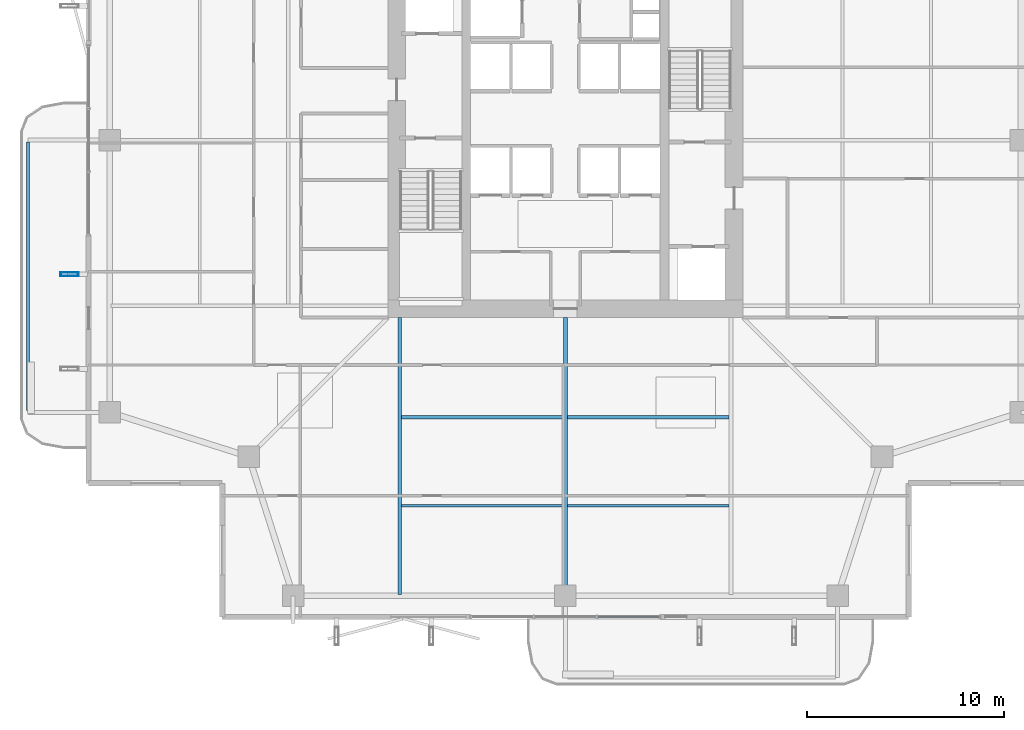
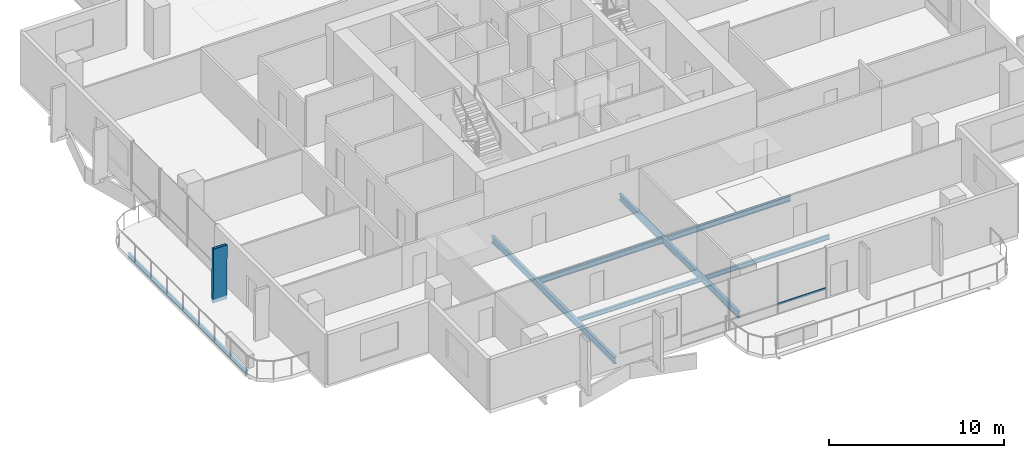
# One storey, part 3 of 24: 7 beams, 2 members, 1 element without a shape of its own.
"""IFC4 building model written with IfcOpenShell, lengths in metres."""

from ifc_helpers import new_model, si_unit, direction, frame, origin, origin_2d, place, context, subcontext, project, spatial, hollow_rectangle, i_section, extrude, material, layer, layer_set, material_profile, profile_set, type_object, element, aggregate, save


model = new_model("IFC4")

# Units and contexts
model_context = context("Model", 3, precision=1e-05, world=origin(), true_north=direction((0.0, 1.0)))
body_context = subcontext(model_context, "Body", "Model", "MODEL_VIEW")
ifc_project = project(units=[si_unit("LENGTHUNIT", "METRE"), si_unit("AREAUNIT", "SQUARE_METRE"), si_unit("VOLUMEUNIT", "CUBIC_METRE"), si_unit("PLANEANGLEUNIT", "RADIAN"), si_unit("MASSUNIT", "GRAM", prefix="KILO")], contexts=[model_context])

# Site, building, storey
site_placement = place(None, origin())
site = spatial("IfcSite", under=ifc_project, at=site_placement, CompositionType="ELEMENT")
building_placement = place(site_placement, origin())
building = spatial("IfcBuilding", under=site, at=building_placement, Name="Belovzor Exchange Tower", CompositionType="ELEMENT")
storey_placement = place(building_placement, frame((0.0, 0.0, 179.550048828125)))
storey = spatial("IfcBuildingStorey", under=building, at=storey_placement, Name="L44", CompositionType="ELEMENT", Elevation=179.550048828125)

# Beams
ifc_material_1 = material(Name="Steel S355", Category="steel")
ifc_material_profile_1 = material_profile(ifc_material_1, i_section(OverallWidth=0.14990234375, OverallDepth=0.300048828125, WebThickness=0.007080078125, FlangeThickness=0.0107421875, at=origin_2d()))
ifc_profile_set_1 = profile_set([ifc_material_profile_1], Name="Steel S355")
beam_type_1 = type_object("IfcBeamType", Name="Planted Balcony Fascia Edge Beam IPE 300", PredefinedType="BEAM", material=ifc_profile_set_1)
beam_1_placement = place(storey_placement, frame((1.547119140625, 28.699951171875, -0.405029296875), z_axis=(0.0, -1.0, 0.0), x_axis=(1.0, 0.0, 0.0)))
element("IfcBeam", 1, at=beam_1_placement, inside=storey, type_object=beam_type_1, Name="BC-300 Planted Balcony Fascia Edge Beam IPE 300", PredefinedType="BEAM", context=body_context, shape_type="SweptSolid", body=[
    extrude(i_section(OverallWidth=0.14990234375, OverallDepth=0.300048828125, WebThickness=0.007080078125, FlangeThickness=0.0107421875, at=origin_2d()), origin(), (0.0, 0.0, 1.0), 13.599853515625),
])
ifc_material_2 = material(Name="Steel S355", Category="steel")
ifc_material_profile_2 = material_profile(ifc_material_2, i_section(OverallWidth=0.169921875, OverallDepth=0.360107421875, WebThickness=0.008056640625, FlangeThickness=0.0126953125, at=origin_2d()))
ifc_profile_set_2 = profile_set([ifc_material_profile_2], Name="Steel S355")
beam_type_2 = type_object("IfcBeamType", Name="Secondary Infill Floor Joist IPE 360", PredefinedType="BEAM", material=ifc_profile_set_2)
for number, where, z_axis, x_axis, name in (
    (2, (20.4951171875, 14.7509765625, -0.43505859375), (1.0, 0.0, 0.0), (0.0, 1.0, 0.0), "FJ-360 Secondary Infill Floor Joist IPE 360"),
    (3, (28.89501953125, 14.7509765625, -0.43505859375), (1.0, 0.0, 0.0), (0.0, 1.0, 0.0), "FJ-360 Secondary Infill Floor Joist IPE 360"),
):
    element("IfcBeam", number, at=place(storey_placement, frame(where, z_axis=z_axis, x_axis=x_axis)), inside=storey, type_object=beam_type_2, Name=name, PredefinedType="BEAM", context=body_context, shape_type="SweptSolid", body=[
        extrude(i_section(OverallWidth=0.169921875, OverallDepth=0.360107421875, WebThickness=0.008056640625, FlangeThickness=0.0126953125, at=origin_2d()), origin(), (0.0, 0.0, 1.0), 8.2099609375),
    ])
ifc_material_3 = material(Name="Steel S355", Category="steel")
ifc_material_profile_3 = material_profile(ifc_material_3, i_section(OverallWidth=0.14990234375, OverallDepth=0.300048828125, WebThickness=0.007080078125, FlangeThickness=0.0107421875, at=origin_2d()))
ifc_profile_set_3 = profile_set([ifc_material_profile_3], Name="Steel S355")
beam_type_3 = type_object("IfcBeamType", Name="Secondary Trim Floor Joist IPE 300", PredefinedType="BEAM", material=ifc_profile_set_3)
for number, where, z_axis, x_axis, name in (
    (4, (20.4951171875, 10.262939453125, -0.405029296875), (1.0, 0.0, 0.0), (0.0, 1.0, 0.0), "FJ-300 Secondary Trim Floor Joist IPE 300"),
    (5, (28.89501953125, 10.262939453125, -0.405029296875), (1.0, 0.0, 0.0), (0.0, 1.0, 0.0), "FJ-300 Secondary Trim Floor Joist IPE 300"),
):
    element("IfcBeam", number, at=place(storey_placement, frame(where, z_axis=z_axis, x_axis=x_axis)), inside=storey, type_object=beam_type_3, Name=name, PredefinedType="BEAM", context=body_context, shape_type="SweptSolid", body=[
        extrude(i_section(OverallWidth=0.14990234375, OverallDepth=0.300048828125, WebThickness=0.007080078125, FlangeThickness=0.0107421875, at=origin_2d()), origin(), (0.0, 0.0, 1.0), 8.2099609375),
    ])

# Member
ifc_material_4 = material(Name="Extruded Architectural Terracotta on Steel S355 Carrier", Category="masonry")
ifc_material_profile_4 = material_profile(ifc_material_4, hollow_rectangle(XDim=0.199951171875, YDim=0.89990234375, WallThickness=0.011962890625, at=origin_2d()))
ifc_profile_set_4 = profile_set([ifc_material_profile_4], Name="Extruded Architectural Terracotta on Steel S355 Carrier")
member_type_1 = type_object("IfcMemberType", Name="Sweeping Terracotta Baguette Fin Assembly 1250", PredefinedType="USERDEFINED", material=ifc_profile_set_4)
member_1_placement = place(storey_placement, frame((3.64697265625, 22.0, -0.255126953125), z_axis=(0.011197214661, 0.0, 0.999937309227), x_axis=(0.0, 1.0, 0.0)))
element("IfcMember", 6, at=member_1_placement, inside=storey, type_object=member_type_1, Name="FIN-TC125 Terracotta Facade Fin L44 W2", ObjectType="FIN", PredefinedType="USERDEFINED", context=body_context, shape_type="SweptSolid", body=[
    extrude(hollow_rectangle(XDim=0.199951171875, YDim=0.89990234375, WallThickness=0.011962890625, at=origin_2d()), origin(), (0.0, 0.0, 1.0), 3.750244140625),
])

# Curtain wall, member
ifc_material_5 = material(Name="Anodised Aluminium Framing", Category="aluminium")
ifc_layer = layer(ifc_material_5, 0.179931640625)
ifc_layer_set = layer_set([ifc_layer], Name="Anodised Aluminium Framing")
curtain_wall_type = type_object("IfcCurtainWallType", Name="Recessed Loggia Low-Iron Triple-Glazed Curtain Wall", PredefinedType="NOTDEFINED", material=ifc_layer_set)
curtain_wall_placement = place(storey_placement, origin())
curtain_wall = element("IfcCurtainWall", 7, at=curtain_wall_placement, inside=storey, type_object=curtain_wall_type, Name="CW3 Recessed Loggia Low-Iron Triple-Glazed Curtain Wall L44", PredefinedType="NOTDEFINED")
ifc_material_6 = material(Name="Steel S355", Category="steel")
ifc_material_profile_5 = material_profile(ifc_material_6, hollow_rectangle(XDim=0.06005859375, YDim=0.14990234375, WallThickness=0.00390625, at=origin_2d()))
ifc_profile_set_5 = profile_set([ifc_material_profile_5], Name="Steel S355")
member_type_2 = type_object("IfcMemberType", Name="Thermally Broken Curtain Wall Transom 150x60", PredefinedType="USERDEFINED", material=ifc_profile_set_5)
member_2_placement = place(storey_placement, frame((33.592041015625, 4.6298828125, 0.62890625), z_axis=(-1.0, 0.0, 0.0), x_axis=(0.0, -1.0, 0.0)))
member_2 = element("IfcMember", 8, at=member_2_placement, type_object=member_type_2, Name="CW-T150 Curtain Wall Transom 1", ObjectType="TRANSOM", PredefinedType="USERDEFINED", context=body_context, shape_type="SweptSolid", body=[
    extrude(hollow_rectangle(XDim=0.06005859375, YDim=0.14990234375, WallThickness=0.00390625, at=origin_2d()), origin(), (0.0, 0.0, 1.0), 3.18408203125),
])
aggregate(curtain_wall, [member_2])

# Beams
ifc_material_7 = material(Name="Steel S355", Category="steel")
ifc_material_profile_6 = material_profile(ifc_material_7, i_section(OverallWidth=0.18994140625, OverallDepth=0.449951171875, WebThickness=0.009521484375, FlangeThickness=0.0146484375, at=origin_2d()))
ifc_profile_set_6 = profile_set([ifc_material_profile_6], Name="Steel S355")
beam_type_4 = type_object("IfcBeamType", Name="Zone 2-4 Radial Composite Floor Beam IPE 450", PredefinedType="BEAM", material=ifc_profile_set_6)
beam_2_placement = place(storey_placement, frame((20.39990234375, 19.800048828125, -0.47998046875), z_axis=(0.0, -1.0, 0.0), x_axis=(1.0, 0.0, 0.0)))
element("IfcBeam", 9, at=beam_2_placement, inside=storey, type_object=beam_type_4, Name="FB-450 Zone 2-4 Radial Composite Floor Beam IPE 450", PredefinedType="BEAM", context=body_context, shape_type="SweptSolid", body=[
    extrude(i_section(OverallWidth=0.18994140625, OverallDepth=0.449951171875, WebThickness=0.009521484375, FlangeThickness=0.0146484375, at=origin_2d()), origin(), (0.0, 0.0, 1.0), 14.025146484375),
])
beam_3_placement = place(storey_placement, frame((28.800048828125, 19.800048828125, -0.47998046875), z_axis=(0.0, -1.0, 0.0), x_axis=(1.0, 0.0, 0.0)))
element("IfcBeam", 10, at=beam_3_placement, inside=storey, type_object=beam_type_4, Name="FB-450 Zone 2-4 Radial Composite Floor Beam IPE 450", PredefinedType="BEAM", context=body_context, shape_type="SweptSolid", body=[
    extrude(i_section(OverallWidth=0.18994140625, OverallDepth=0.449951171875, WebThickness=0.009521484375, FlangeThickness=0.0146484375, at=origin_2d()), origin(), (0.0, 0.0, 1.0), 13.615966796875),
])

save(model, "model.ifc")
